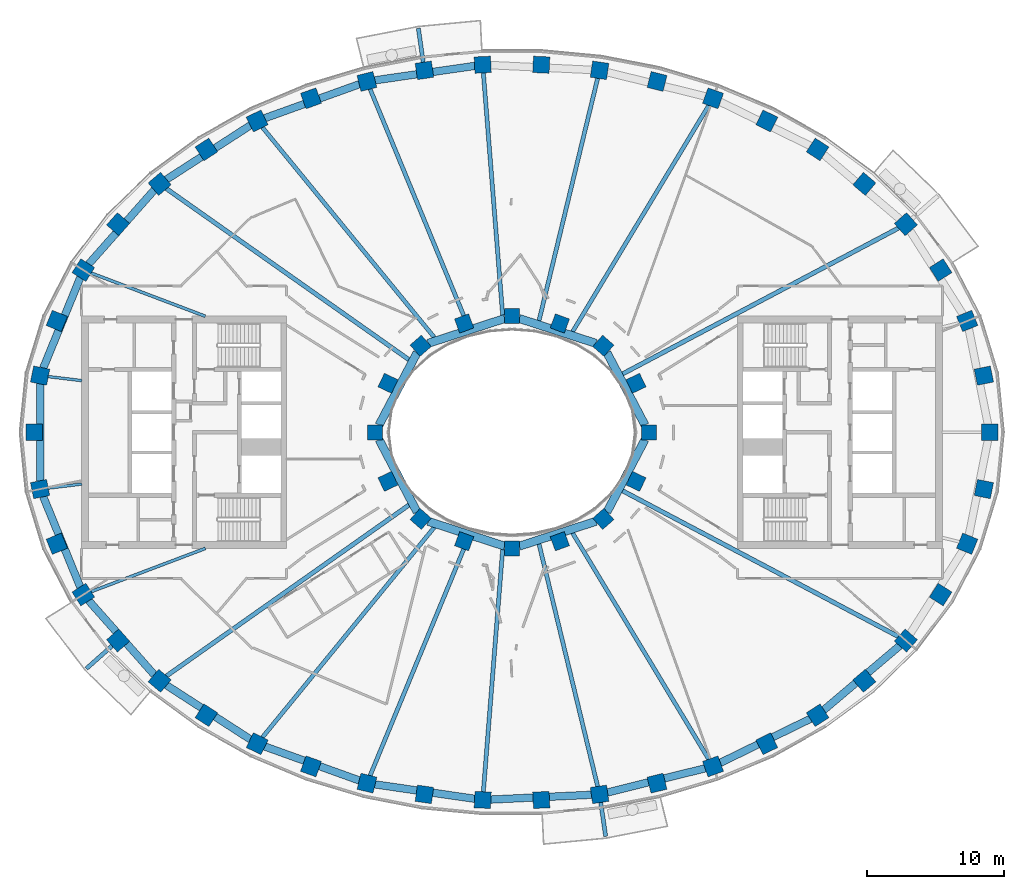
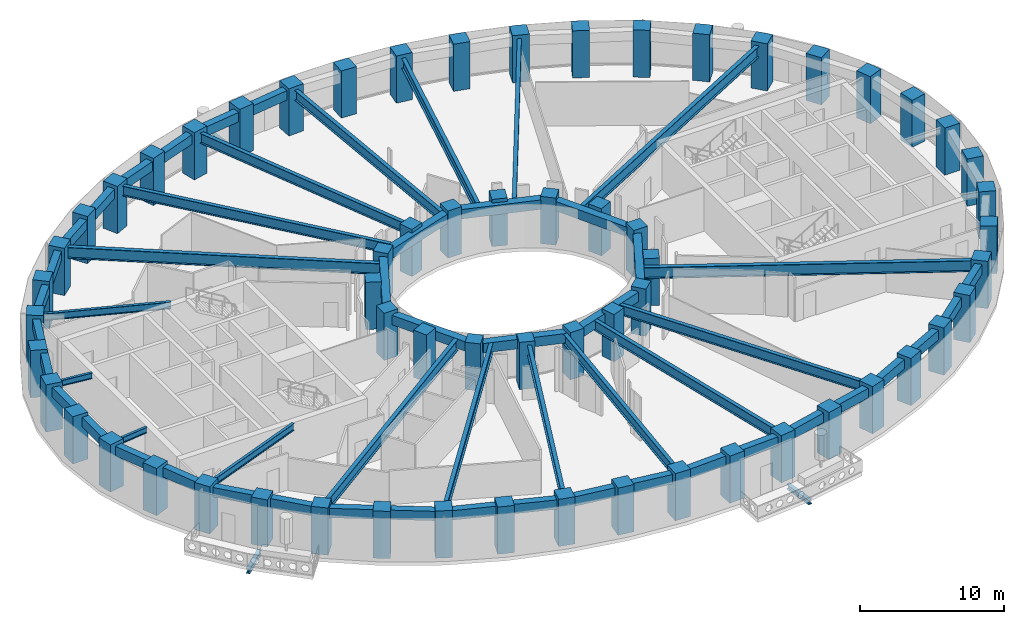
# One storey, part 1 of 16: 62 columns, 44 beams.
"""IFC4 building model written with IfcOpenShell, lengths in metres."""

from ifc_helpers import new_model, si_unit, direction, frame, origin, origin_2d, place, context, subcontext, project, spatial, rectangle, i_section, extrude, material, material_profile, profile_set, type_object, element, save


model = new_model("IFC4")

# Units and contexts
model_context = context("Model", 3, precision=1e-05, world=origin(), true_north=direction((0.0, 1.0)))
body_context = subcontext(model_context, "Body", "Model", "MODEL_VIEW")
ifc_project = project(units=[si_unit("LENGTHUNIT", "METRE"), si_unit("AREAUNIT", "SQUARE_METRE"), si_unit("VOLUMEUNIT", "CUBIC_METRE"), si_unit("PLANEANGLEUNIT", "RADIAN"), si_unit("MASSUNIT", "GRAM", prefix="KILO")], contexts=[model_context])

# Site, building, storey
site_placement = place(None, origin())
site = spatial("IfcSite", under=ifc_project, at=site_placement, CompositionType="ELEMENT")
building_placement = place(site_placement, origin())
building = spatial("IfcBuilding", under=site, at=building_placement, Name="Noorbagh Ring Tower", CompositionType="ELEMENT")
storey_placement = place(building_placement, frame((0.0, 0.0, 150.0)))
storey = spatial("IfcBuildingStorey", under=building, at=storey_placement, Name="L34", CompositionType="ELEMENT", Elevation=150.0)

# Columns
ifc_material_1 = material(Name="Concrete C60/75", Category="concrete")
ifc_material_profile_1 = material_profile(ifc_material_1, rectangle(XDim=1.199951171875, YDim=1.199951171875, at=origin_2d()), Name="RC1200x1200")
ifc_profile_set_1 = profile_set([ifc_material_profile_1], Name="Concrete C60/75")
column_type_1 = type_object("IfcColumnType", Name="STR-COL-RC1200x1200-C60-75", PredefinedType="COLUMN", material=ifc_profile_set_1)
for number, where, z_axis, x_axis, name in (
    (1, (34.944580078125, 0.0, 0.0), (0.0, 0.0, 1.0), (0.0, 1.0, 0.0), "L34/col/R1-01"),
    (2, (34.52685546875, 4.150634765625, 0.0), (0.0, 0.0, 1.0), (-0.19723040178, 0.9803571638, 0.0), "L34/col/R1-02"),
    (3, (33.30517578125, 8.1494140625, 0.0), (0.0, 0.0, 1.0), (-0.378989499959, 0.925400971969, 0.0), "L34/col/R1-03"),
    (4, (31.364990234375, 11.87109375, 0.0), (0.0, 0.0, 1.0), (-0.535190403059, 0.844731455833, 0.0), "L34/col/R1-04"),
    (5, (28.81884765625, 15.23046875, 0.0), (0.0, 0.0, 1.0), (-0.662635642662, 0.748941923699, 0.0), "L34/col/R1-05"),
    (6, (25.78271484375, 18.180419921875, 0.0), (0.0, 0.0, 1.0), (-0.763035199656, 0.646356932419, 0.0), "L34/col/R1-06"),
    (7, (22.362060546875, 20.699951171875, 0.0), (0.0, 0.0, 1.0), (-0.840247639643, 0.542202825586, 0.0), "L34/col/R1-07"),
    (8, (18.646240234375, 22.785400390625, 0.0), (0.0, 0.0, 1.0), (-0.898399080868, 0.439180021741, 0.0), "L34/col/R1-08"),
    (9, (14.70947265625, 24.44091796875, 0.0), (0.0, 0.0, 1.0), (-0.941024726094, 0.338337797003, 0.0), "L34/col/R1-09"),
    (10, (10.61328125, 25.673583984375, 0.0), (0.0, 0.0, 1.0), (-0.970829360981, 0.239771457553, 0.0), "L34/col/R1-10"),
    (11, (6.4091796875, 26.49072265625, 0.0), (0.0, 0.0, 1.0), (-0.989713114048, 0.143066249975, 0.0), "L34/col/R1-11"),
    (12, (2.14306640625, 26.89794921875, 0.0), (0.0, 0.0, 1.0), (-0.998868731212, 0.047552684538, 0.0), "L34/col/R1-12"),
    (13, (-2.14306640625, 26.89794921875, 0.0), (0.0, 0.0, 1.0), (-0.998868731212, -0.047552684538, 0.0), "L34/col/R1-13"),
    (14, (-6.4091796875, 26.49072265625, 0.0), (0.0, 0.0, 1.0), (-0.989713114048, -0.143066249975, 0.0), "L34/col/R1-14"),
    (15, (-10.61328125, 25.673583984375, 0.0), (0.0, 0.0, 1.0), (-0.970829360981, -0.239771457553, 0.0), "L34/col/R1-15"),
    (16, (-14.70947265625, 24.44091796875, 0.0), (0.0, 0.0, 1.0), (-0.941024726094, -0.338337797003, 0.0), "L34/col/R1-16"),
    (17, (-18.646240234375, 22.785400390625, 0.0), (0.0, 0.0, 1.0), (-0.898399080868, -0.439180021741, 0.0), "L34/col/R1-17"),
    (18, (-22.362060546875, 20.699951171875, 0.0), (0.0, 0.0, 1.0), (-0.840247639643, -0.542202825586, 0.0), "L34/col/R1-18"),
    (19, (-25.78271484375, 18.180419921875, 0.0), (0.0, 0.0, 1.0), (-0.763035199656, -0.646356932419, 0.0), "L34/col/R1-19"),
    (20, (-28.81884765625, 15.23046875, 0.0), (0.0, 0.0, 1.0), (-0.662635642662, -0.748941923699, 0.0), "L34/col/R1-20"),
    (21, (-31.364990234375, 11.87109375, 0.0), (0.0, 0.0, 1.0), (-0.535190403059, -0.844731455833, 0.0), "L34/col/R1-21"),
    (22, (-33.30517578125, 8.1494140625, 0.0), (0.0, 0.0, 1.0), (-0.378989499959, -0.925400971969, 0.0), "L34/col/R1-22"),
    (23, (-34.52685546875, 4.150634765625, 0.0), (0.0, 0.0, 1.0), (-0.19723040178, -0.9803571638, 0.0), "L34/col/R1-23"),
    (24, (-34.944580078125, 0.0, 0.0), (0.0, 0.0, 1.0), (0.0, -1.0, 0.0), "L34/col/R1-24"),
    (25, (-34.52685546875, -4.150634765625, 0.0), (0.0, 0.0, 1.0), (0.19723040178, -0.9803571638, 0.0), "L34/col/R1-25"),
    (26, (-33.30517578125, -8.1494140625, 0.0), (0.0, 0.0, 1.0), (0.378989499959, -0.925400971969, 0.0), "L34/col/R1-26"),
    (27, (-31.364990234375, -11.87109375, 0.0), (0.0, 0.0, 1.0), (0.535190403059, -0.844731455833, 0.0), "L34/col/R1-27"),
    (28, (-28.81884765625, -15.23046875, 0.0), (0.0, 0.0, 1.0), (0.662635642662, -0.748941923699, 0.0), "L34/col/R1-28"),
    (29, (-25.78271484375, -18.180419921875, 0.0), (0.0, 0.0, 1.0), (0.763035199656, -0.646356932419, 0.0), "L34/col/R1-29"),
    (30, (-22.362060546875, -20.699951171875, 0.0), (0.0, 0.0, 1.0), (0.840247639643, -0.542202825586, 0.0), "L34/col/R1-30"),
    (31, (-18.646240234375, -22.785400390625, 0.0), (0.0, 0.0, 1.0), (0.898399080868, -0.439180021741, 0.0), "L34/col/R1-31"),
    (32, (-14.70947265625, -24.44091796875, 0.0), (0.0, 0.0, 1.0), (0.941024726094, -0.338337797003, 0.0), "L34/col/R1-32"),
    (33, (-10.61328125, -25.673583984375, 0.0), (0.0, 0.0, 1.0), (0.970829360981, -0.239771457553, 0.0), "L34/col/R1-33"),
    (34, (-6.4091796875, -26.49072265625, 0.0), (0.0, 0.0, 1.0), (0.989713114048, -0.143066249975, 0.0), "L34/col/R1-34"),
    (35, (-2.14306640625, -26.89794921875, 0.0), (0.0, 0.0, 1.0), (0.998868731212, -0.047552684538, 0.0), "L34/col/R1-35"),
    (36, (2.14306640625, -26.89794921875, 0.0), (0.0, 0.0, 1.0), (0.998868731212, 0.047552684538, 0.0), "L34/col/R1-36"),
    (37, (6.4091796875, -26.49072265625, 0.0), (0.0, 0.0, 1.0), (0.989713114048, 0.143066249975, 0.0), "L34/col/R1-37"),
    (38, (10.61328125, -25.673583984375, 0.0), (0.0, 0.0, 1.0), (0.970829360981, 0.239771457553, 0.0), "L34/col/R1-38"),
    (39, (14.70947265625, -24.44091796875, 0.0), (0.0, 0.0, 1.0), (0.941024726094, 0.338337797003, 0.0), "L34/col/R1-39"),
    (40, (18.646240234375, -22.785400390625, 0.0), (0.0, 0.0, 1.0), (0.898399080868, 0.439180021741, 0.0), "L34/col/R1-40"),
    (41, (22.362060546875, -20.699951171875, 0.0), (0.0, 0.0, 1.0), (0.840247639643, 0.542202825586, 0.0), "L34/col/R1-41"),
    (42, (25.78271484375, -18.180419921875, 0.0), (0.0, 0.0, 1.0), (0.763035199656, 0.646356932419, 0.0), "L34/col/R1-42"),
    (43, (28.81884765625, -15.23046875, 0.0), (0.0, 0.0, 1.0), (0.662635642662, 0.748941923699, 0.0), "L34/col/R1-43"),
    (44, (31.364990234375, -11.87109375, 0.0), (0.0, 0.0, 1.0), (0.535190403059, 0.844731455833, 0.0), "L34/col/R1-44"),
    (45, (33.30517578125, -8.1494140625, 0.0), (0.0, 0.0, 1.0), (0.378989499959, 0.925400971969, 0.0), "L34/col/R1-45"),
    (46, (34.52685546875, -4.150634765625, 0.0), (0.0, 0.0, 1.0), (0.19723040178, 0.9803571638, 0.0), "L34/col/R1-46"),
):
    element("IfcColumn", number, at=place(storey_placement, frame(where, z_axis=z_axis, x_axis=x_axis)), inside=storey, type_object=column_type_1, Name=name, PredefinedType="COLUMN", context=body_context, shape_type="SweptSolid", body=[
        extrude(rectangle(XDim=1.199951171875, YDim=1.199951171875, at=origin_2d()), origin(), (0.0, 0.0, 1.0), 4.0),
    ])
ifc_material_2 = material(Name="Concrete C60/75", Category="concrete")
ifc_material_profile_2 = material_profile(ifc_material_2, rectangle(XDim=1.10009765625, YDim=1.10009765625, at=origin_2d()), Name="RC1100x1100")
ifc_profile_set_2 = profile_set([ifc_material_profile_2], Name="Concrete C60/75")
column_type_2 = type_object("IfcColumnType", Name="STR-ICOL-RC1100x1100-C60-75", PredefinedType="COLUMN", material=ifc_profile_set_2)
for number, where, z_axis, x_axis, name in (
    (47, (10.00830078125, 0.0, 0.0), (0.0, 0.0, 1.0), (0.0, 1.0, 0.0), "L34/col/IR2-W01"),
    (48, (9.07568359375, 3.58837890625, 0.0), (0.0, 0.0, 1.0), (-0.428666979171, 0.903462573087, 0.0), "L34/col/IR2-W03"),
    (49, (6.68212890625, 6.333740234375, 0.0), (0.0, 0.0, 1.0), (-0.75102249095, 0.660276622399, 0.0), "L34/col/IR2-W05"),
    (50, (3.5009765625, 7.967041015625, 0.0), (0.0, 0.0, 1.0), (-0.939019578916, 0.343863679984, 0.0), "L34/col/IR2-W07"),
    (51, (0.0, 8.5029296875, 0.0), (0.0, 0.0, 1.0), (-1.0, 0.0, 0.0), "L34/col/IR2-W09"),
    (52, (-3.5009765625, 7.967041015625, 0.0), (0.0, 0.0, 1.0), (-0.939019578916, -0.343863679984, 0.0), "L34/col/IR2-W11"),
    (53, (-6.68212890625, 6.333740234375, 0.0), (0.0, 0.0, 1.0), (-0.75102249095, -0.660276622399, 0.0), "L34/col/IR2-W13"),
    (54, (-9.07568359375, 3.58837890625, 0.0), (0.0, 0.0, 1.0), (-0.428666979171, -0.903462573087, 0.0), "L34/col/IR2-W15"),
    (55, (-10.00830078125, 0.0, 0.0), (0.0, 0.0, 1.0), (0.0, -1.0, 0.0), "L34/col/IR2-W17"),
    (56, (-9.07568359375, -3.58837890625, 0.0), (0.0, 0.0, 1.0), (0.428666979171, -0.903462573087, 0.0), "L34/col/IR2-W19"),
    (57, (-6.68212890625, -6.333740234375, 0.0), (0.0, 0.0, 1.0), (0.75102249095, -0.660276622399, 0.0), "L34/col/IR2-W21"),
    (58, (-3.5009765625, -7.967041015625, 0.0), (0.0, 0.0, 1.0), (0.939019578916, -0.343863679984, 0.0), "L34/col/IR2-W23"),
    (59, (0.0, -8.5029296875, 0.0), (0.0, 0.0, 1.0), (1.0, 0.0, 0.0), "L34/col/IR2-W25"),
    (60, (3.5009765625, -7.967041015625, 0.0), (0.0, 0.0, 1.0), (0.939019578916, 0.343863679984, 0.0), "L34/col/IR2-W27"),
    (61, (6.68212890625, -6.333740234375, 0.0), (0.0, 0.0, 1.0), (0.75102249095, 0.660276622399, 0.0), "L34/col/IR2-W29"),
    (62, (9.07568359375, -3.58837890625, 0.0), (0.0, 0.0, 1.0), (0.428666979171, 0.903462573087, 0.0), "L34/col/IR2-W31"),
):
    element("IfcColumn", number, at=place(storey_placement, frame(where, z_axis=z_axis, x_axis=x_axis)), inside=storey, type_object=column_type_2, Name=name, PredefinedType="COLUMN", context=body_context, shape_type="SweptSolid", body=[
        extrude(rectangle(XDim=1.10009765625, YDim=1.10009765625, at=origin_2d()), origin(), (0.0, 0.0, 1.0), 4.0),
    ])

# Beams
ifc_material_3 = material(Name="Steel S355", Category="steel")
ifc_material_profile_3 = material_profile(ifc_material_3, i_section(OverallWidth=0.300048828125, OverallDepth=0.39990234375, WebThickness=0.013427734375, FlangeThickness=0.02392578125, FilletRadius=0.027099609375, at=origin_2d()), Name="HEB400")
ifc_profile_set_3 = profile_set([ifc_material_profile_3], Name="Steel S355")
beam_type_1 = type_object("IfcBeamType", Name="STR-BALCONY-BRACKET-HEB400", PredefinedType="BEAM", material=ifc_profile_set_3)
beam_1_placement = place(storey_placement, frame((-6.4921875, 27.06494140625, -0.5), z_axis=(-0.143073420259, 0.989712077533, 0.0), x_axis=(-0.989712077533, -0.143073420259, 0.0)))
element("IfcBeam", 63, at=beam_1_placement, inside=storey, type_object=beam_type_1, Name="Balcony bracket beam BN04", PredefinedType="BEAM", context=body_context, shape_type="SweptSolid", body=[
    extrude(i_section(OverallWidth=0.300048828125, OverallDepth=0.39990234375, WebThickness=0.013427734375, FlangeThickness=0.02392578125, FilletRadius=0.027099609375, at=origin_2d()), origin(), (0.0, 0.0, 1.0), 2.523681640625),
])
beam_2_placement = place(storey_placement, frame((-29.253173828125, -15.61474609375, -0.5), z_axis=(-0.749068405178, -0.662492659856, 0.0), x_axis=(0.662492659856, -0.749068405178, 0.0)))
element("IfcBeam", 64, at=beam_2_placement, inside=storey, type_object=beam_type_1, Name="Balcony bracket beam BS01", PredefinedType="BEAM", context=body_context, shape_type="SweptSolid", body=[
    extrude(i_section(OverallWidth=0.300048828125, OverallDepth=0.39990234375, WebThickness=0.013427734375, FlangeThickness=0.02392578125, FilletRadius=0.027099609375, at=origin_2d()), origin(), (0.0, 0.0, 1.0), 2.529541015625),
])
beam_3_placement = place(storey_placement, frame((6.4921875, -27.06494140625, -0.5), z_axis=(0.143073420259, -0.989712077533, 0.0), x_axis=(0.989712077533, 0.143073420259, 0.0)))
element("IfcBeam", 65, at=beam_3_placement, inside=storey, type_object=beam_type_1, Name="Balcony bracket beam BS04", PredefinedType="BEAM", context=body_context, shape_type="SweptSolid", body=[
    extrude(i_section(OverallWidth=0.300048828125, OverallDepth=0.39990234375, WebThickness=0.013427734375, FlangeThickness=0.02392578125, FilletRadius=0.027099609375, at=origin_2d()), origin(), (0.0, 0.0, 1.0), 2.523681640625),
])
ifc_material_4 = material(Name="Steel S355", Category="steel")
ifc_material_profile_4 = material_profile(ifc_material_4, i_section(OverallWidth=0.199951171875, OverallDepth=0.5, WebThickness=0.01025390625, FlangeThickness=0.01611328125, FilletRadius=0.02099609375, at=origin_2d()), Name="IPE500")
ifc_profile_set_4 = profile_set([ifc_material_profile_4], Name="Steel S355")
beam_type_2 = type_object("IfcBeamType", Name="STR-RAD-IPE500", PredefinedType="BEAM", material=ifc_profile_set_4)
for number, where, z_axis, x_axis, name in (
    (66, (-33.948974609375, 4.081298828125, 3.449951171875), (0.992847073299, -0.119393002485, 0.0), (0.119393002485, 0.992847073299, 0.0), "L34/bm/RD23"),
    (67, (-33.948974609375, -4.081298828125, 3.449951171875), (0.992847073299, 0.119393002485, 0.0), (-0.119393002485, 0.992847073299, 0.0), "L34/bm/RD25"),
):
    element("IfcBeam", number, at=place(storey_placement, frame(where, z_axis=z_axis, x_axis=x_axis)), inside=storey, type_object=beam_type_2, Name=name, PredefinedType="BEAM", context=body_context, shape_type="SweptSolid", body=[
        extrude(i_section(OverallWidth=0.199951171875, OverallDepth=0.5, WebThickness=0.01025390625, FlangeThickness=0.01611328125, FilletRadius=0.02099609375, at=origin_2d()), origin(), (0.0, 0.0, 1.0), 2.486572265625),
    ])
ifc_material_5 = material(Name="Steel S355", Category="steel")
ifc_material_profile_5 = material_profile(ifc_material_5, i_section(OverallWidth=0.219970703125, OverallDepth=0.60009765625, WebThickness=0.011962890625, FlangeThickness=0.01904296875, FilletRadius=0.02392578125, at=origin_2d()), Name="IPE600")
ifc_profile_set_5 = profile_set([ifc_material_profile_5], Name="Steel S355")
beam_type_3 = type_object("IfcBeamType", Name="STR-RAD-IPE600", PredefinedType="BEAM", material=ifc_profile_set_5)
for number, where, z_axis, x_axis, name in (
    (68, (-30.810791015625, 11.6611328125, 3.39990234375), (0.935257705558, -0.35396754681, 0.0), (0.35396754681, 0.935257705558, 0.0), "L34/bm/RD21"),
    (69, (-30.810791015625, -11.6611328125, 3.39990234375), (0.935257705558, 0.35396754681, 0.0), (-0.35396754681, 0.935257705558, 0.0), "L34/bm/RD27"),
):
    element("IfcBeam", number, at=place(storey_placement, frame(where, z_axis=z_axis, x_axis=x_axis)), inside=storey, type_object=beam_type_3, Name=name, PredefinedType="BEAM", context=body_context, shape_type="SweptSolid", body=[
        extrude(i_section(OverallWidth=0.219970703125, OverallDepth=0.60009765625, WebThickness=0.011962890625, FlangeThickness=0.01904296875, FilletRadius=0.02392578125, at=origin_2d()), origin(), (0.0, 0.0, 1.0), 8.95068359375),
    ])
ifc_material_6 = material(Name="Steel S355", Category="steel")
ifc_material_profile_6 = material_profile(ifc_material_6, i_section(OverallWidth=0.300048828125, OverallDepth=0.85009765625, WebThickness=0.013916015625, FlangeThickness=0.028076171875, at=origin_2d()), Name="PG850x300x14x28")
ifc_profile_set_6 = profile_set([ifc_material_profile_6], Name="Steel S355")
beam_type_4 = type_object("IfcBeamType", Name="STR-RAD-PG850x300x14x28", PredefinedType="BEAM", material=ifc_profile_set_6)
beam_4_placement = place(storey_placement, frame((14.404296875, 23.933837890625, 3.27490234375), z_axis=(-0.515653442321, -0.856797249892, 0.0), x_axis=(0.856797249892, -0.515653442321, 0.0)))
element("IfcBeam", 70, at=beam_4_placement, inside=storey, type_object=beam_type_4, Name="L34/bm/RD09", PredefinedType="BEAM", context=body_context, shape_type="SweptSolid", body=[
    extrude(i_section(OverallWidth=0.300048828125, OverallDepth=0.85009765625, WebThickness=0.013916015625, FlangeThickness=0.028076171875, at=origin_2d()), origin(), (0.0, 0.0, 1.0), 19.343994140625),
])
beam_5_placement = place(storey_placement, frame((6.272216796875, 25.924560546875, 3.27490234375), z_axis=(-0.235159659646, -0.971956755455, 0.0), x_axis=(0.971956755455, -0.235159659646, 0.0)))
element("IfcBeam", 71, at=beam_5_placement, inside=storey, type_object=beam_type_4, Name="L34/bm/RD11", PredefinedType="BEAM", context=body_context, shape_type="SweptSolid", body=[
    extrude(i_section(OverallWidth=0.300048828125, OverallDepth=0.85009765625, WebThickness=0.013916015625, FlangeThickness=0.028076171875, at=origin_2d()), origin(), (0.0, 0.0, 1.0), 18.280517578125),
])
beam_6_placement = place(storey_placement, frame((-2.09716796875, 26.319580078125, 3.27490234375), z_axis=(0.079428488964, -0.996840566561, 0.0), x_axis=(0.996840566561, 0.079428488964, 0.0)))
element("IfcBeam", 72, at=beam_6_placement, inside=storey, type_object=beam_type_4, Name="L34/bm/RD13", PredefinedType="BEAM", context=body_context, shape_type="SweptSolid", body=[
    extrude(i_section(OverallWidth=0.300048828125, OverallDepth=0.85009765625, WebThickness=0.013916015625, FlangeThickness=0.028076171875, at=origin_2d()), origin(), (0.0, 0.0, 1.0), 17.7998046875),
])
beam_7_placement = place(storey_placement, frame((-10.388916015625, 25.13134765625, 3.27490234375), z_axis=(0.382025650428, -0.924151720452, 0.0), x_axis=(0.924151720452, 0.382025650428, 0.0)))
element("IfcBeam", 73, at=beam_7_placement, inside=storey, type_object=beam_type_4, Name="L34/bm/RD15", PredefinedType="BEAM", context=body_context, shape_type="SweptSolid", body=[
    extrude(i_section(OverallWidth=0.300048828125, OverallDepth=0.85009765625, WebThickness=0.013916015625, FlangeThickness=0.028076171875, at=origin_2d()), origin(), (0.0, 0.0, 1.0), 18.80078125),
])
for number, where, z_axis, x_axis, name in (
    (74, (-18.2685546875, 22.32373046875, 3.27490234375), (0.633310075039, -0.773898151474, 0.0), (0.773898151474, 0.633310075039, 0.0), "L34/bm/RD17"),
    (75, (-18.2685546875, -22.32373046875, 3.27490234375), (0.633310075039, 0.773898151474, 0.0), (-0.773898151474, 0.633310075039, 0.0), "L34/bm/RD31"),
):
    element("IfcBeam", number, at=place(storey_placement, frame(where, z_axis=z_axis, x_axis=x_axis)), inside=storey, type_object=beam_type_4, Name=name, PredefinedType="BEAM", context=body_context, shape_type="SweptSolid", body=[
        extrude(i_section(OverallWidth=0.300048828125, OverallDepth=0.85009765625, WebThickness=0.013916015625, FlangeThickness=0.028076171875, at=origin_2d()), origin(), (0.0, 0.0, 1.0), 19.86279296875),
    ])
beam_8_placement = place(storey_placement, frame((-10.388916015625, -25.13134765625, 3.27490234375), z_axis=(0.382025650428, 0.924151720452, 0.0), x_axis=(-0.924151720452, 0.382025650428, 0.0)))
element("IfcBeam", 76, at=beam_8_placement, inside=storey, type_object=beam_type_4, Name="L34/bm/RD33", PredefinedType="BEAM", context=body_context, shape_type="SweptSolid", body=[
    extrude(i_section(OverallWidth=0.300048828125, OverallDepth=0.85009765625, WebThickness=0.013916015625, FlangeThickness=0.028076171875, at=origin_2d()), origin(), (0.0, 0.0, 1.0), 18.80078125),
])
beam_9_placement = place(storey_placement, frame((-2.09716796875, -26.319580078125, 3.27490234375), z_axis=(0.079428488964, 0.996840566561, 0.0), x_axis=(-0.996840566561, 0.079428488964, 0.0)))
element("IfcBeam", 77, at=beam_9_placement, inside=storey, type_object=beam_type_4, Name="L34/bm/RD35", PredefinedType="BEAM", context=body_context, shape_type="SweptSolid", body=[
    extrude(i_section(OverallWidth=0.300048828125, OverallDepth=0.85009765625, WebThickness=0.013916015625, FlangeThickness=0.028076171875, at=origin_2d()), origin(), (0.0, 0.0, 1.0), 17.7998046875),
])
beam_10_placement = place(storey_placement, frame((6.272216796875, -25.924560546875, 3.27490234375), z_axis=(-0.235159659646, 0.971956755455, 0.0), x_axis=(-0.971956755455, -0.235159659646, 0.0)))
element("IfcBeam", 78, at=beam_10_placement, inside=storey, type_object=beam_type_4, Name="L34/bm/RD37", PredefinedType="BEAM", context=body_context, shape_type="SweptSolid", body=[
    extrude(i_section(OverallWidth=0.300048828125, OverallDepth=0.85009765625, WebThickness=0.013916015625, FlangeThickness=0.028076171875, at=origin_2d()), origin(), (0.0, 0.0, 1.0), 18.280517578125),
])
beam_11_placement = place(storey_placement, frame((14.404296875, -23.933837890625, 3.27490234375), z_axis=(-0.515653442321, 0.856797249892, 0.0), x_axis=(-0.856797249892, -0.515653442321, 0.0)))
element("IfcBeam", 79, at=beam_11_placement, inside=storey, type_object=beam_type_4, Name="L34/bm/RD39", PredefinedType="BEAM", context=body_context, shape_type="SweptSolid", body=[
    extrude(i_section(OverallWidth=0.300048828125, OverallDepth=0.85009765625, WebThickness=0.013916015625, FlangeThickness=0.028076171875, at=origin_2d()), origin(), (0.0, 0.0, 1.0), 19.343994140625),
])
ifc_material_7 = material(Name="Steel S355", Category="steel")
ifc_material_profile_7 = material_profile(ifc_material_7, i_section(OverallWidth=0.320068359375, OverallDepth=0.949951171875, WebThickness=0.01611328125, FlangeThickness=0.030029296875, at=origin_2d()), Name="PG950x320x16x30")
ifc_profile_set_7 = profile_set([ifc_material_profile_7], Name="Steel S355")
beam_type_5 = type_object("IfcBeamType", Name="STR-RAD-PG950x320x16x30", PredefinedType="BEAM", material=ifc_profile_set_7)
beam_12_placement = place(storey_placement, frame((28.29052734375, 14.951416015625, 3.22509765625), z_axis=(-0.88411920944, -0.467261408099, 0.0), x_axis=(0.467261408099, -0.88411920944, 0.0)))
element("IfcBeam", 80, at=beam_12_placement, inside=storey, type_object=beam_type_5, Name="L34/bm/RD05", PredefinedType="BEAM", context=body_context, shape_type="SweptSolid", body=[
    extrude(i_section(OverallWidth=0.320068359375, OverallDepth=0.949951171875, WebThickness=0.01611328125, FlangeThickness=0.030029296875, at=origin_2d()), origin(), (0.0, 0.0, 1.0), 22.857421875),
])
for number, where, z_axis, x_axis, name in (
    (81, (-25.29248046875, 17.834716796875, 3.22509765625), (0.817253927646, -0.576277726229, 0.0), (0.576277726229, 0.817253927646, 0.0), "L34/bm/RD19"),
    (82, (-25.29248046875, -17.834716796875, 3.22509765625), (0.817253927646, 0.576277726229, 0.0), (-0.576277726229, 0.817253927646, 0.0), "L34/bm/RD29"),
):
    element("IfcBeam", number, at=place(storey_placement, frame(where, z_axis=z_axis, x_axis=x_axis)), inside=storey, type_object=beam_type_5, Name=name, PredefinedType="BEAM", context=body_context, shape_type="SweptSolid", body=[
        extrude(i_section(OverallWidth=0.320068359375, OverallDepth=0.949951171875, WebThickness=0.01611328125, FlangeThickness=0.030029296875, at=origin_2d()), origin(), (0.0, 0.0, 1.0), 21.728515625),
    ])
beam_13_placement = place(storey_placement, frame((28.29052734375, -14.951416015625, 3.22509765625), z_axis=(-0.88411920944, 0.467261408099, 0.0), x_axis=(-0.467261408099, -0.88411920944, 0.0)))
element("IfcBeam", 83, at=beam_13_placement, inside=storey, type_object=beam_type_5, Name="L34/bm/RD43", PredefinedType="BEAM", context=body_context, shape_type="SweptSolid", body=[
    extrude(i_section(OverallWidth=0.320068359375, OverallDepth=0.949951171875, WebThickness=0.01611328125, FlangeThickness=0.030029296875, at=origin_2d()), origin(), (0.0, 0.0, 1.0), 22.857421875),
])
ifc_material_8 = material(Name="Concrete C40/50", Category="concrete")
ifc_material_profile_8 = material_profile(ifc_material_8, rectangle(XDim=0.60009765625, YDim=0.800048828125, at=origin_2d()), Name="RC600x800")
ifc_profile_set_8 = profile_set([ifc_material_profile_8], Name="Concrete C40/50")
beam_type_6 = type_object("IfcBeamType", Name="STR-RB-RC600x800-C40-50", PredefinedType="BEAM", material=ifc_profile_set_8)
beam_14_placement = place(storey_placement, frame((9.728759765625, 0.5322265625, 3.300048828125), z_axis=(-0.464913857529, 0.885355919999, 0.0), x_axis=(-0.885355919999, -0.464913857529, 0.0)))
element("IfcBeam", 84, at=beam_14_placement, inside=storey, type_object=beam_type_6, Name="L34/bm/RG01", PredefinedType="BEAM", context=body_context, shape_type="SweptSolid", body=[
    extrude(rectangle(XDim=0.60009765625, YDim=0.800048828125, at=origin_2d()), origin(), (0.0, 0.0, 1.0), 5.98388671875),
])
for number, where, z_axis, x_axis, name in (
    (85, (6.13134765625, 6.512451171875, 3.300048828125), (-0.95113365854, 0.308779474046, 0.0), (-0.308779474046, -0.95113365854, 0.0), "L34/bm/RG03"),
    (86, (-0.531005859375, 8.33056640625, 3.300048828125), (-0.95113365854, -0.308779474046, 0.0), (0.308779474046, -0.95113365854, 0.0), "L34/bm/RG05"),
):
    element("IfcBeam", number, at=place(storey_placement, frame(where, z_axis=z_axis, x_axis=x_axis)), inside=storey, type_object=beam_type_6, Name=name, PredefinedType="BEAM", context=body_context, shape_type="SweptSolid", body=[
        extrude(rectangle(XDim=0.60009765625, YDim=0.800048828125, at=origin_2d()), origin(), (0.0, 0.0, 1.0), 5.88818359375),
    ])
for number, where, z_axis, x_axis, name in (
    (87, (-6.94677734375, 5.830078125, 3.300048828125), (-0.464913857529, -0.885355919999, 0.0), (0.885355919999, -0.464913857529, 0.0), "L34/bm/RG07"),
    (88, (-9.728759765625, -0.5322265625, 3.300048828125), (0.464913857529, -0.885355919999, 0.0), (0.885355919999, 0.464913857529, 0.0), "L34/bm/RG09"),
):
    element("IfcBeam", number, at=place(storey_placement, frame(where, z_axis=z_axis, x_axis=x_axis)), inside=storey, type_object=beam_type_6, Name=name, PredefinedType="BEAM", context=body_context, shape_type="SweptSolid", body=[
        extrude(rectangle(XDim=0.60009765625, YDim=0.800048828125, at=origin_2d()), origin(), (0.0, 0.0, 1.0), 5.98388671875),
    ])
for number, where, z_axis, x_axis, name in (
    (89, (-6.13134765625, -6.512451171875, 3.300048828125), (0.95113365854, -0.308779474046, 0.0), (0.308779474046, 0.95113365854, 0.0), "L34/bm/RG11"),
    (90, (0.531005859375, -8.33056640625, 3.300048828125), (0.95113365854, 0.308779474046, 0.0), (-0.308779474046, 0.95113365854, 0.0), "L34/bm/RG13"),
):
    element("IfcBeam", number, at=place(storey_placement, frame(where, z_axis=z_axis, x_axis=x_axis)), inside=storey, type_object=beam_type_6, Name=name, PredefinedType="BEAM", context=body_context, shape_type="SweptSolid", body=[
        extrude(rectangle(XDim=0.60009765625, YDim=0.800048828125, at=origin_2d()), origin(), (0.0, 0.0, 1.0), 5.88818359375),
    ])
beam_15_placement = place(storey_placement, frame((6.94677734375, -5.830078125, 3.300048828125), z_axis=(0.464913857529, 0.885355919999, 0.0), x_axis=(-0.885355919999, 0.464913857529, 0.0)))
element("IfcBeam", 91, at=beam_15_placement, inside=storey, type_object=beam_type_6, Name="L34/bm/RG15", PredefinedType="BEAM", context=body_context, shape_type="SweptSolid", body=[
    extrude(rectangle(XDim=0.60009765625, YDim=0.800048828125, at=origin_2d()), origin(), (0.0, 0.0, 1.0), 5.98388671875),
])
ifc_material_9 = material(Name="Concrete C40/50", Category="concrete")
ifc_material_profile_9 = material_profile(ifc_material_9, rectangle(XDim=0.550048828125, YDim=0.800048828125, at=origin_2d()), Name="RC550x800")
ifc_profile_set_9 = profile_set([ifc_material_profile_9], Name="Concrete C40/50")
beam_type_7 = type_object("IfcBeamType", Name="STR-SB-RC550x800-C40-50", PredefinedType="BEAM", material=ifc_profile_set_9)
beam_16_placement = place(storey_placement, frame((-2.719970703125, 26.814697265625, 3.300048828125), z_axis=(-0.989712982551, -0.143067159651, 0.0), x_axis=(0.143067159651, -0.989712982551, 0.0)))
element("IfcBeam", 92, at=beam_16_placement, inside=storey, type_object=beam_type_7, Name="L34/bm/SP13", PredefinedType="BEAM", context=body_context, shape_type="SweptSolid", body=[
    extrude(rectangle(XDim=0.550048828125, YDim=0.800048828125, at=origin_2d()), origin(), (0.0, 0.0, 1.0), 7.392333984375),
])
beam_17_placement = place(storey_placement, frame((-11.162109375, 25.476318359375, 3.300048828125), z_axis=(-0.941026272099, -0.338333497041, 0.0), x_axis=(0.338333497041, -0.941026272099, 0.0)))
element("IfcBeam", 93, at=beam_17_placement, inside=storey, type_object=beam_type_7, Name="L34/bm/SP15", PredefinedType="BEAM", context=body_context, shape_type="SweptSolid", body=[
    extrude(rectangle(XDim=0.550048828125, YDim=0.800048828125, at=origin_2d()), origin(), (0.0, 0.0, 1.0), 7.36962890625),
])
beam_18_placement = place(storey_placement, frame((-19.13720703125, 22.468505859375, 3.300048828125), z_axis=(-0.840250107942, -0.542199000463, 0.0), x_axis=(0.542199000463, -0.840250107942, 0.0)))
element("IfcBeam", 94, at=beam_18_placement, inside=storey, type_object=beam_type_7, Name="L34/bm/SP17", PredefinedType="BEAM", context=body_context, shape_type="SweptSolid", body=[
    extrude(rectangle(XDim=0.550048828125, YDim=0.800048828125, at=origin_2d()), origin(), (0.0, 0.0, 1.0), 7.32373046875),
])
beam_19_placement = place(storey_placement, frame((-26.171142578125, 17.7412109375, 3.300048828125), z_axis=(-0.662637815304, -0.748940001422, 0.0), x_axis=(0.748940001422, -0.662637815304, 0.0)))
element("IfcBeam", 95, at=beam_19_placement, inside=storey, type_object=beam_type_7, Name="L34/bm/SP19", PredefinedType="BEAM", context=body_context, shape_type="SweptSolid", body=[
    extrude(rectangle(XDim=0.550048828125, YDim=0.800048828125, at=origin_2d()), origin(), (0.0, 0.0, 1.0), 7.25048828125),
])
beam_20_placement = place(storey_placement, frame((-31.58837890625, 11.325439453125, 3.300048828125), z_axis=(-0.378983224539, -0.925403541985, 0.0), x_axis=(0.925403541985, -0.378983224539, 0.0)))
element("IfcBeam", 96, at=beam_20_placement, inside=storey, type_object=beam_type_7, Name="L34/bm/SP21", PredefinedType="BEAM", context=body_context, shape_type="SweptSolid", body=[
    extrude(rectangle(XDim=0.550048828125, YDim=0.800048828125, at=origin_2d()), origin(), (0.0, 0.0, 1.0), 7.162109375),
])
beam_21_placement = place(storey_placement, frame((-34.52685546875, 3.55859375, 3.300048828125), z_axis=(0.0, -1.0, 0.0), x_axis=(1.0, 0.0, 0.0)))
element("IfcBeam", 97, at=beam_21_placement, inside=storey, type_object=beam_type_7, Name="L34/bm/SP23", PredefinedType="BEAM", context=body_context, shape_type="SweptSolid", body=[
    extrude(rectangle(XDim=0.550048828125, YDim=0.800048828125, at=origin_2d()), origin(), (0.0, 0.0, 1.0), 7.1171875),
])
beam_22_placement = place(storey_placement, frame((-34.302734375, -4.697509765625, 3.300048828125), z_axis=(0.378983224539, -0.925403541985, 0.0), x_axis=(0.925403541985, 0.378983224539, 0.0)))
element("IfcBeam", 98, at=beam_22_placement, inside=storey, type_object=beam_type_7, Name="L34/bm/SP25", PredefinedType="BEAM", context=body_context, shape_type="SweptSolid", body=[
    extrude(rectangle(XDim=0.550048828125, YDim=0.800048828125, at=origin_2d()), origin(), (0.0, 0.0, 1.0), 7.162109375),
])
beam_23_placement = place(storey_placement, frame((-30.9755859375, -12.31103515625, 3.300048828125), z_axis=(0.662637815304, -0.748940001422, 0.0), x_axis=(0.748940001422, 0.662637815304, 0.0)))
element("IfcBeam", 99, at=beam_23_placement, inside=storey, type_object=beam_type_7, Name="L34/bm/SP27", PredefinedType="BEAM", context=body_context, shape_type="SweptSolid", body=[
    extrude(rectangle(XDim=0.550048828125, YDim=0.800048828125, at=origin_2d()), origin(), (0.0, 0.0, 1.0), 7.25048828125),
])
beam_24_placement = place(storey_placement, frame((-25.291015625, -18.49755859375, 3.300048828125), z_axis=(0.840250107942, -0.542199000463, 0.0), x_axis=(0.542199000463, 0.840250107942, 0.0)))
element("IfcBeam", 100, at=beam_24_placement, inside=storey, type_object=beam_type_7, Name="L34/bm/SP29", PredefinedType="BEAM", context=body_context, shape_type="SweptSolid", body=[
    extrude(rectangle(XDim=0.550048828125, YDim=0.800048828125, at=origin_2d()), origin(), (0.0, 0.0, 1.0), 7.32373046875),
])
beam_25_placement = place(storey_placement, frame((-18.09716796875, -22.98291015625, 3.300048828125), z_axis=(0.941026272099, -0.338333497041, 0.0), x_axis=(0.338333497041, 0.941026272099, 0.0)))
element("IfcBeam", 101, at=beam_25_placement, inside=storey, type_object=beam_type_7, Name="L34/bm/SP31", PredefinedType="BEAM", context=body_context, shape_type="SweptSolid", body=[
    extrude(rectangle(XDim=0.550048828125, YDim=0.800048828125, at=origin_2d()), origin(), (0.0, 0.0, 1.0), 7.36962890625),
])
beam_26_placement = place(storey_placement, frame((-10.036376953125, -25.757080078125, 3.300048828125), z_axis=(0.989712982551, -0.143067159651, 0.0), x_axis=(0.143067159651, 0.989712982551, 0.0)))
element("IfcBeam", 102, at=beam_26_placement, inside=storey, type_object=beam_type_7, Name="L34/bm/SP33", PredefinedType="BEAM", context=body_context, shape_type="SweptSolid", body=[
    extrude(rectangle(XDim=0.550048828125, YDim=0.800048828125, at=origin_2d()), origin(), (0.0, 0.0, 1.0), 7.392333984375),
])
beam_27_placement = place(storey_placement, frame((-1.56103515625, -26.870361328125, 3.300048828125), z_axis=(0.9988682124, 0.047563581193, 0.0), x_axis=(-0.047563581193, 0.9988682124, 0.0)))
element("IfcBeam", 103, at=beam_27_placement, inside=storey, type_object=beam_type_7, Name="L34/bm/SP35", PredefinedType="BEAM", context=body_context, shape_type="SweptSolid", body=[
    extrude(rectangle(XDim=0.550048828125, YDim=0.800048828125, at=origin_2d()), origin(), (0.0, 0.0, 1.0), 7.396484375),
])
beam_28_placement = place(storey_placement, frame((6.97509765625, -26.35107421875, 3.300048828125), z_axis=(0.970832897369, 0.239757138341, 0.0), x_axis=(-0.239757138341, 0.970832897369, 0.0)))
element("IfcBeam", 104, at=beam_28_placement, inside=storey, type_object=beam_type_7, Name="L34/bm/SP37", PredefinedType="BEAM", context=body_context, shape_type="SweptSolid", body=[
    extrude(rectangle(XDim=0.550048828125, YDim=0.800048828125, at=origin_2d()), origin(), (0.0, 0.0, 1.0), 7.383544921875),
])
beam_29_placement = place(storey_placement, frame((15.23388671875, -24.1845703125, 3.300048828125), z_axis=(0.898397175695, 0.439183918994, 0.0), x_axis=(-0.439183918994, 0.898397175695, 0.0)))
element("IfcBeam", 105, at=beam_29_placement, inside=storey, type_object=beam_type_7, Name="L34/bm/SP39", PredefinedType="BEAM", context=body_context, shape_type="SweptSolid", body=[
    extrude(rectangle(XDim=0.550048828125, YDim=0.800048828125, at=origin_2d()), origin(), (0.0, 0.0, 1.0), 7.35009765625),
])
beam_30_placement = place(storey_placement, frame((22.80859375, -20.32177734375, 3.300048828125), z_axis=(0.76303051661, 0.646362460792, 0.0), x_axis=(-0.646362460792, 0.76303051661, 0.0)))
element("IfcBeam", 106, at=beam_30_placement, inside=storey, type_object=beam_type_7, Name="L34/bm/SP41", PredefinedType="BEAM", context=body_context, shape_type="SweptSolid", body=[
    extrude(rectangle(XDim=0.550048828125, YDim=0.800048828125, at=origin_2d()), origin(), (0.0, 0.0, 1.0), 7.290771484375),
])

save(model, "model.ifc")
